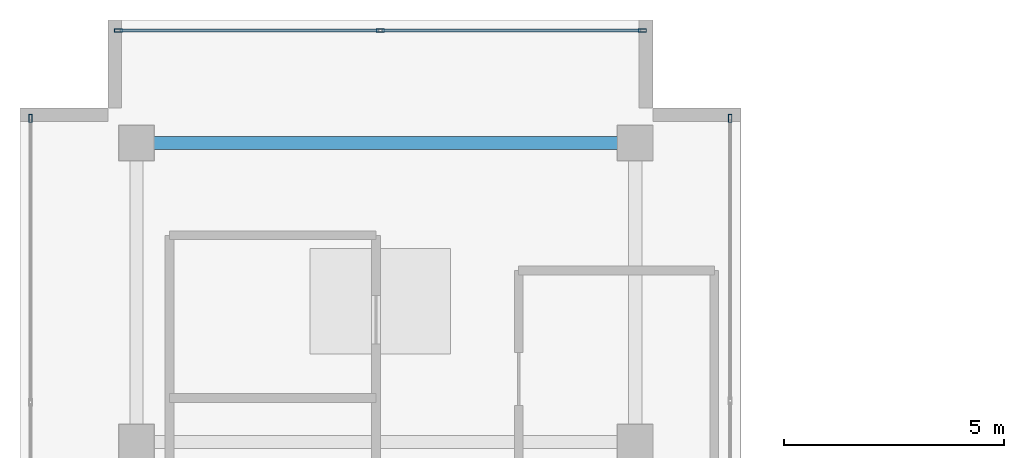
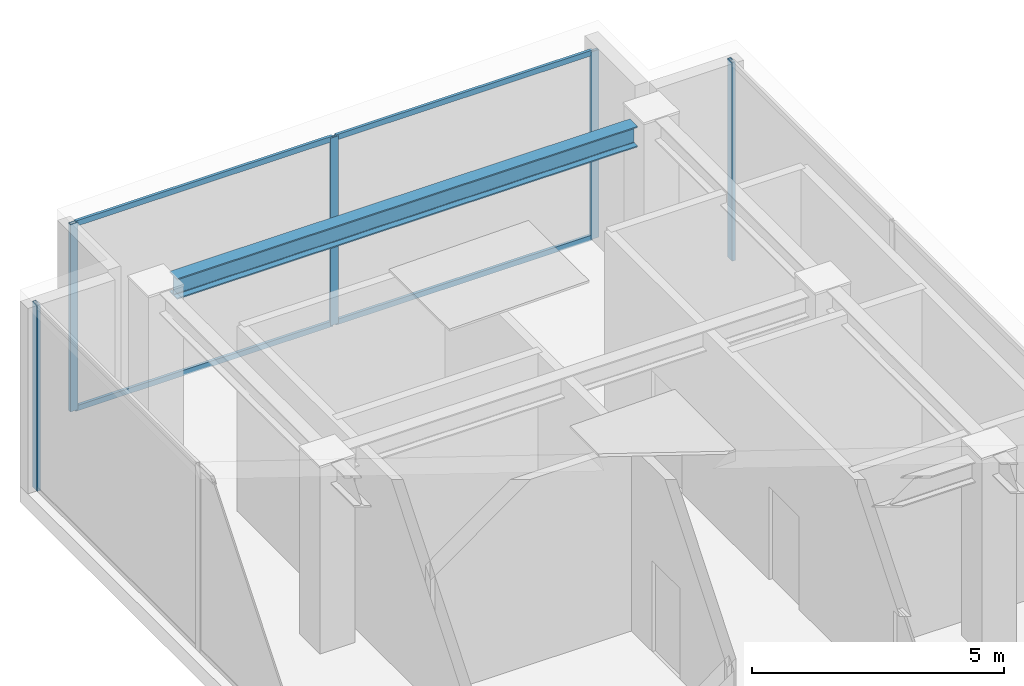
# One storey, part 18 of 22: 9 members, 1 beam, 3 elements without a shape of their own.
"""IFC4 building model written with IfcOpenShell, lengths in metres."""

from ifc_helpers import new_model, si_unit, direction, frame, origin, origin_with_axes, origin_2d, place, context, subcontext, project, spatial, hollow_rectangle, i_section, extrude, source, transform, mapped, material, layer, layer_set, material_profile, profile_set, type_object, element, aggregate, save


model = new_model("IFC4")

# Units and contexts
model_context = context("Model", 3, precision=1e-05, world=origin(), true_north=direction((0.0, 1.0)))
body_context = subcontext(model_context, "Body", "Model", "MODEL_VIEW")
ifc_project = project(units=[si_unit("LENGTHUNIT", "METRE"), si_unit("AREAUNIT", "SQUARE_METRE"), si_unit("VOLUMEUNIT", "CUBIC_METRE"), si_unit("PLANEANGLEUNIT", "RADIAN"), si_unit("MASSUNIT", "GRAM", prefix="KILO")], contexts=[model_context])

# Site, building, storey
site_placement = place(None, origin())
site = spatial("IfcSite", under=ifc_project, at=site_placement, CompositionType="ELEMENT")
building_placement = place(site_placement, origin())
building = spatial("IfcBuilding", under=site, at=building_placement, Name="Kolvaren Waterfront Exchange", CompositionType="ELEMENT")
storey_placement = place(building_placement, frame((0.0, 0.0, 360.39990234375)))
storey = spatial("IfcBuildingStorey", under=building, at=storey_placement, Name="RF", CompositionType="ELEMENT", Elevation=360.39990234375)

# Beam
ifc_material_1 = material(Name="Steel S355", Category="steel")
ifc_material_profile_1 = material_profile(ifc_material_1, i_section(OverallWidth=0.300048828125, OverallDepth=0.5, WebThickness=0.014404296875, FlangeThickness=0.028076171875, FilletRadius=0.027099609375, at=origin_2d()), Name="HEB500")
ifc_profile_set_1 = profile_set([ifc_material_profile_1], Name="Steel S355")
beam_type = type_object("IfcBeamType", Name="STR-BM-HEB500", PredefinedType="BEAM", material=ifc_profile_set_1)
beam_placement = place(storey_placement, frame((7.85205078125, 44.60009765625, 4.281005859375), z_axis=(1.0, 0.0, 0.0), x_axis=(0.0, 1.0, 0.0)))
element("IfcBeam", 1, at=beam_placement, inside=storey, type_object=beam_type, Name="RF crown roof girder 22", PredefinedType="SPANDREL", context=body_context, shape_type="SweptSolid", body=[
    extrude(i_section(OverallWidth=0.300048828125, OverallDepth=0.5, WebThickness=0.014404296875, FlangeThickness=0.028076171875, FilletRadius=0.027099609375, at=origin_2d()), origin(), (0.0, 0.0, 1.0), 10.5458984375),
])

# Curtain wall, members
ifc_material_2 = material(Name="Anodised bronze aluminium 6063-T6", Category="aluminium")
ifc_layer = layer(ifc_material_2, 0.219970703125, Name="Anodised bronze aluminium 6063-T6")
ifc_layer_set = layer_set([ifc_layer], Name="Anodised bronze aluminium 6063-T6")
curtain_wall_type = type_object("IfcCurtainWallType", Name="ARC-CW-SYS5", PredefinedType="USERDEFINED", material=ifc_layer_set)
curtain_wall_1_placement = place(storey_placement, origin())
curtain_wall_1 = element("IfcCurtainWall", 2, at=curtain_wall_1_placement, inside=storey, type_object=curtain_wall_type, Name="RF stick curtain wall CW5 (CW-RF-NT)", ObjectType="STICK CURTAIN WALL", PredefinedType="USERDEFINED")
ifc_material_profile_2 = material_profile(ifc_material_2, hollow_rectangle(XDim=0.074951171875, YDim=0.179931640625, WallThickness=0.00439453125, at=origin_2d()), Name="ALU-MUL-180x75x4.5")
ifc_profile_set_2 = profile_set([ifc_material_profile_2], Name="Anodised bronze aluminium 6063-T6")
member_type_1 = type_object("IfcMemberType", Name="ARC-CWM-180", PredefinedType="MULLION", material=ifc_profile_set_2)
shared_shape_1 = source(origin_with_axes(), body_context, "Body", "SweptSolid", [
    extrude(hollow_rectangle(XDim=0.074951171875, YDim=0.179931640625, WallThickness=0.00439453125, at=origin_2d()), origin(), (0.0, 0.0, 1.0), 4.542236328125),
])
member_1_placement = place(storey_placement, frame((7.03759765625, 47.159912109375, 0.0), z_axis=(0.0, 0.0, 1.0), x_axis=(0.0, 1.0, 0.0)))
member_1 = element("IfcMember", 3, at=member_1_placement, type_object=member_type_1, Name="CW5 mullion 1", PredefinedType="MULLION", context=body_context, shape_type="MappedRepresentation", body=[
    mapped(shared_shape_1, transform((0.0, 0.0, 0.0), x_axis=(1.0, 0.0, 0.0), y_axis=(0.0, 1.0, 0.0), z_axis=(0.0, 0.0, 1.0), scale=1.0)),
])
member_2_placement = place(storey_placement, frame((13.0, 47.159912109375, 0.0), z_axis=(0.0, 0.0, 1.0), x_axis=(0.0, 1.0, 0.0)))
member_2 = element("IfcMember", 4, at=member_2_placement, type_object=member_type_1, Name="CW5 mullion 2", PredefinedType="MULLION", context=body_context, shape_type="MappedRepresentation", body=[
    mapped(shared_shape_1, transform((0.0, 0.0, 0.0), x_axis=(1.0, 0.0, 0.0), y_axis=(0.0, 1.0, 0.0), z_axis=(0.0, 0.0, 1.0), scale=1.0)),
])
member_3_placement = place(storey_placement, frame((18.96240234375, 47.159912109375, 0.0), z_axis=(0.0, 0.0, 1.0), x_axis=(0.0, 1.0, 0.0)))
member_3 = element("IfcMember", 5, at=member_3_placement, type_object=member_type_1, Name="CW5 mullion 3", PredefinedType="MULLION", context=body_context, shape_type="MappedRepresentation", body=[
    mapped(shared_shape_1, transform((0.0, 0.0, 0.0), x_axis=(1.0, 0.0, 0.0), y_axis=(0.0, 1.0, 0.0), z_axis=(0.0, 0.0, 1.0), scale=1.0)),
])

# Curtain wall, member
curtain_wall_2_placement = place(storey_placement, origin())
curtain_wall_2 = element("IfcCurtainWall", 6, at=curtain_wall_2_placement, inside=storey, type_object=curtain_wall_type, Name="RF stick curtain wall CW5 (CW-RF-W)", ObjectType="STICK CURTAIN WALL", PredefinedType="USERDEFINED")
shared_shape_2 = source(origin_with_axes(), body_context, "Body", "SweptSolid", [
    extrude(hollow_rectangle(XDim=0.074951171875, YDim=0.179931640625, WallThickness=0.00439453125, at=origin_2d()), origin(), (0.0, 0.0, 1.0), 4.504638671875),
])
member_4_placement = place(storey_placement, frame((5.0400390625, 45.16259765625, 0.0), z_axis=(0.0, 0.0, 1.0), x_axis=(-1.0, 0.0, 0.0)))
member_4 = element("IfcMember", 7, at=member_4_placement, type_object=member_type_1, Name="CW5 mullion 7", PredefinedType="MULLION", context=body_context, shape_type="MappedRepresentation", body=[
    mapped(shared_shape_2, transform((0.0, 0.0, 0.0), x_axis=(1.0, 0.0, 0.0), y_axis=(0.0, 1.0, 0.0), z_axis=(0.0, 0.0, 1.0), scale=1.0)),
])
aggregate(curtain_wall_2, [member_4])

curtain_wall_3_placement = place(storey_placement, origin())
curtain_wall_3 = element("IfcCurtainWall", 8, at=curtain_wall_3_placement, inside=storey, type_object=curtain_wall_type, Name="RF stick curtain wall CW5 (CW-RF-NE)", ObjectType="STICK CURTAIN WALL", PredefinedType="USERDEFINED")
shared_shape_3 = source(origin_with_axes(), body_context, "Body", "SweptSolid", [
    extrude(hollow_rectangle(XDim=0.074951171875, YDim=0.179931640625, WallThickness=0.00439453125, at=origin_2d()), origin(), (0.0, 0.0, 1.0), 4.81005859375),
])
member_5_placement = place(storey_placement, frame((20.9599609375, 45.16259765625, 0.0), z_axis=(0.0, 0.0, 1.0), x_axis=(-1.0, 0.0, 0.0)))
member_5 = element("IfcMember", 9, at=member_5_placement, type_object=member_type_1, Name="CW5 mullion 4", PredefinedType="MULLION", context=body_context, shape_type="MappedRepresentation", body=[
    mapped(shared_shape_3, transform((0.0, 0.0, 0.0), x_axis=(1.0, 0.0, 0.0), y_axis=(0.0, 1.0, 0.0), z_axis=(0.0, 0.0, 1.0), scale=1.0)),
])
aggregate(curtain_wall_3, [member_5])

# Member
ifc_material_profile_3 = material_profile(ifc_material_2, hollow_rectangle(XDim=0.06494140625, YDim=0.1298828125, WallThickness=0.00390625, at=origin_2d()), Name="ALU-TRN-130x65x4")
ifc_profile_set_3 = profile_set([ifc_material_profile_3], Name="Anodised bronze aluminium 6063-T6")
member_type_2 = type_object("IfcMemberType", Name="ARC-CWT-130", PredefinedType="USERDEFINED", material=ifc_profile_set_3)
shared_shape_4 = source(origin_with_axes(), body_context, "Body", "SweptSolid", [
    extrude(hollow_rectangle(XDim=0.06494140625, YDim=0.1298828125, WallThickness=0.00390625, at=origin_2d()), origin(), (0.0, 0.0, 1.0), 5.887451171875),
])
member_6_placement = place(storey_placement, frame((7.074951171875, 47.159912109375, 0.03271484375), z_axis=(1.0, 0.0, 0.0), x_axis=(0.0, 1.0, 0.0)))
member_6 = element("IfcMember", 10, at=member_6_placement, type_object=member_type_2, Name="CW5 transom 1.1", ObjectType="TRANSOM", PredefinedType="USERDEFINED", context=body_context, shape_type="MappedRepresentation", body=[
    mapped(shared_shape_4, transform((0.0, 0.0, 0.0), x_axis=(1.0, 0.0, 0.0), y_axis=(0.0, 1.0, 0.0), z_axis=(0.0, 0.0, 1.0), scale=1.0)),
])

member_7_placement = place(storey_placement, frame((7.074951171875, 47.159912109375, 4.509765625), z_axis=(1.0, 0.0, 0.0), x_axis=(0.0, 1.0, 0.0)))
member_7 = element("IfcMember", 11, at=member_7_placement, type_object=member_type_2, Name="CW5 transom 1.2", ObjectType="TRANSOM", PredefinedType="USERDEFINED", context=body_context, shape_type="MappedRepresentation", body=[
    mapped(shared_shape_4, transform((0.0, 0.0, 0.0), x_axis=(1.0, 0.0, 0.0), y_axis=(0.0, 1.0, 0.0), z_axis=(0.0, 0.0, 1.0), scale=1.0)),
])

member_8_placement = place(storey_placement, frame((13.03759765625, 47.159912109375, 0.03271484375), z_axis=(1.0, 0.0, 0.0), x_axis=(0.0, 1.0, 0.0)))
member_8 = element("IfcMember", 12, at=member_8_placement, type_object=member_type_2, Name="CW5 transom 2.1", ObjectType="TRANSOM", PredefinedType="USERDEFINED", context=body_context, shape_type="MappedRepresentation", body=[
    mapped(shared_shape_4, transform((0.0, 0.0, 0.0), x_axis=(1.0, 0.0, 0.0), y_axis=(0.0, 1.0, 0.0), z_axis=(0.0, 0.0, 1.0), scale=1.0)),
])

member_9_placement = place(storey_placement, frame((13.03759765625, 47.159912109375, 4.509765625), z_axis=(1.0, 0.0, 0.0), x_axis=(0.0, 1.0, 0.0)))
member_9 = element("IfcMember", 13, at=member_9_placement, type_object=member_type_2, Name="CW5 transom 2.2", ObjectType="TRANSOM", PredefinedType="USERDEFINED", context=body_context, shape_type="MappedRepresentation", body=[
    mapped(shared_shape_4, transform((0.0, 0.0, 0.0), x_axis=(1.0, 0.0, 0.0), y_axis=(0.0, 1.0, 0.0), z_axis=(0.0, 0.0, 1.0), scale=1.0)),
])

aggregate(curtain_wall_1, [member_1, member_2, member_3, member_6, member_7, member_8, member_9])

save(model, "model.ifc")
